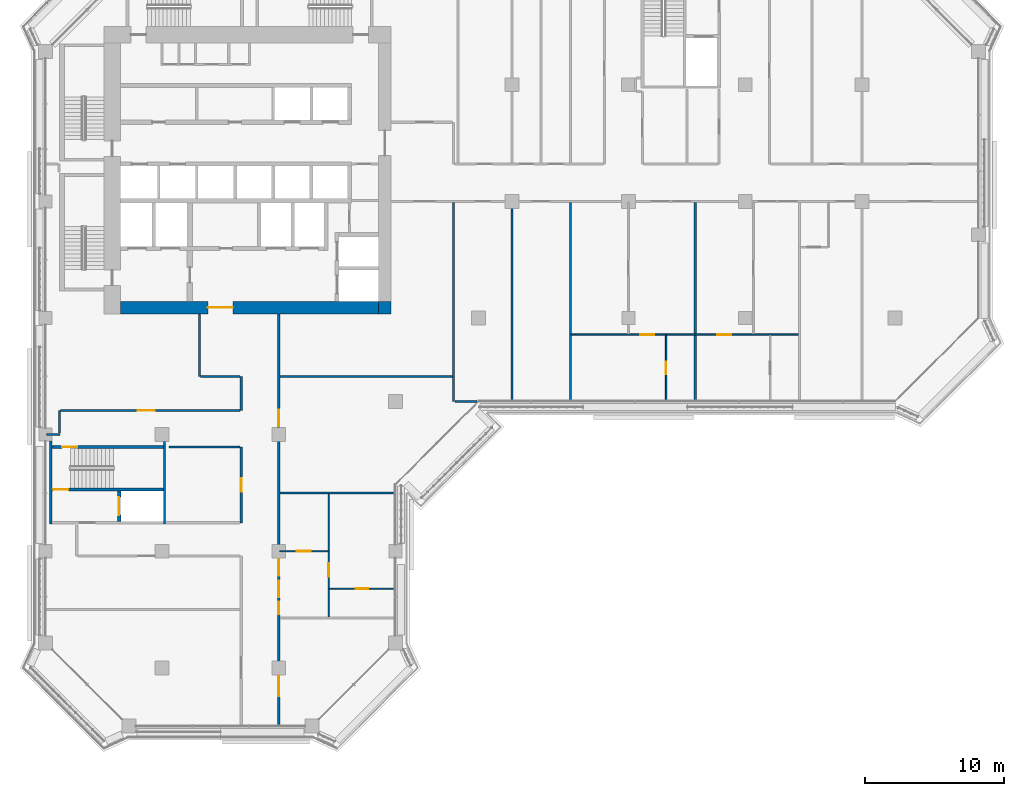
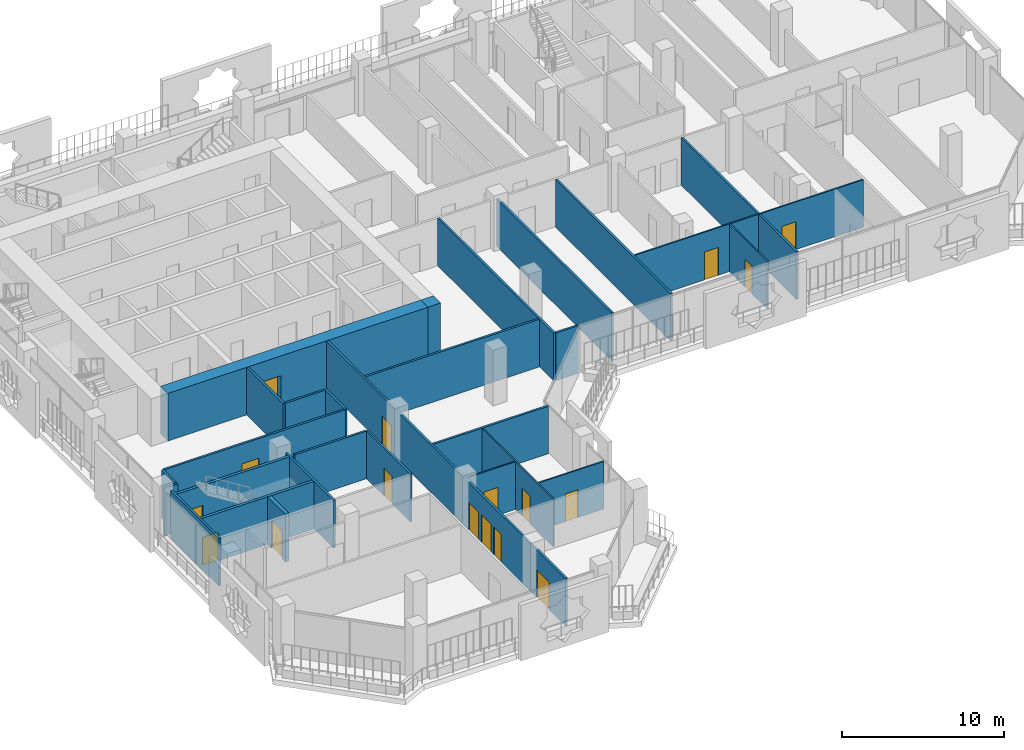
# One storey, part 10 of 22: 28 walls, 17 doors, 17 openings.
"""IFC4 building model written with IfcOpenShell, lengths in metres."""

from ifc_helpers import new_model, si_unit, direction, frame, frame_2d, origin, place, context, subcontext, project, spatial, rectangle, extrude, material, layer, layer_set, type_object, element, fill, save


model = new_model("IFC4")

# Units and contexts
model_context = context("Model", 3, precision=1e-05, world=origin(), true_north=direction((0.0, 1.0)))
body_context = subcontext(model_context, "Body", "Model", "MODEL_VIEW")
ifc_project = project(units=[si_unit("LENGTHUNIT", "METRE"), si_unit("AREAUNIT", "SQUARE_METRE"), si_unit("VOLUMEUNIT", "CUBIC_METRE"), si_unit("PLANEANGLEUNIT", "RADIAN"), si_unit("MASSUNIT", "GRAM", prefix="KILO")], contexts=[model_context])

# Site, building, storey
site_placement = place(None, origin())
site = spatial("IfcSite", under=ifc_project, at=site_placement, CompositionType="ELEMENT")
building_placement = place(site_placement, origin())
building = spatial("IfcBuilding", under=site, at=building_placement, Name="Kawkab Arch Medical Tower", CompositionType="ELEMENT")
storey_placement = place(building_placement, frame((0.0, 0.0, 183.60009765625)))
storey = spatial("IfcBuildingStorey", under=building, at=storey_placement, Name="L42", CompositionType="ELEMENT", Elevation=183.60009765625)

# Wall, opening, door
ifc_material_1 = material(Name="Concrete C55/67", Category="concrete")
ifc_layer_1 = layer(ifc_material_1, 0.89990234375)
ifc_layer_set_1 = layer_set([ifc_layer_1], Name="Concrete C55/67")
wall_type_1 = type_object("IfcWallType", Name="Core ring wall 900 C55/67", PredefinedType="SHEAR", material=ifc_layer_set_1)
wall_1_placement = place(storey_placement, frame((5.39990234375, -24.449951171875, 0.0), z_axis=(0.0, 0.0, 1.0), x_axis=(1.0, 0.0, 0.0)))
wall_1 = element("IfcWall", 1, at=wall_1_placement, inside=storey, type_object=wall_type_1, Name="L42 core wall", PredefinedType="SHEAR", context=body_context, shape_type="SweptSolid", body=[
    extrude(rectangle(XDim=18.60009765625, YDim=0.89990234375, at=frame_2d((9.300048828125, 0.0))), origin(), (0.0, 0.0, 1.0), 3.599853515625),
])
opening_1_placement = place(wall_1_placement, frame((6.300048828125, 0.0, 0.0)))
opening_1 = element("IfcOpeningElement", 2, at=opening_1_placement, cuts=wall_1, Name="Opening PD", PredefinedType="OPENING", context=body_context, shape_type="SweptSolid", body=[
    extrude(rectangle(XDim=1.800048828125, YDim=2.10009765625, at=frame_2d((0.89990234375, 1.050048828125))), frame((0.0, 0.4599609375, 0.0), z_axis=(0.0, -1.0, 0.0), x_axis=(1.0, 0.0, 0.0)), (0.0, 0.0, 1.0), 0.919921875),
])
ifc_material_2 = material(Name="Hollow metal fire door leaf")
door_type_1 = type_object("IfcDoorType", Name="Core entrance doors 1800", OperationType="DOUBLE_DOOR_SINGLE_SWING", PredefinedType="DOOR", material=ifc_material_2)
door_1_placement = place(opening_1_placement, origin())
door_1 = element("IfcDoor", 3, at=door_1_placement, inside=storey, type_object=door_type_1, Name="L42 South entrance doors", OperationType="DOUBLE_DOOR_SINGLE_SWING", OverallHeight=2.10009765625, OverallWidth=1.800048828125, PredefinedType="DOOR", context=body_context, shape_type="SweptSolid", body=[
    extrude(rectangle(XDim=1.800048828125, YDim=2.10009765625, at=frame_2d((0.89990234375, 1.050048828125))), frame((0.0, 0.02490234375, 0.0), z_axis=(0.0, -1.0, 0.0), x_axis=(1.0, 0.0, 0.0)), (0.0, 0.0, 1.0), 0.050048828125),
])
fill(opening_1, door_1)

# Wall
wall_2_placement = place(storey_placement, frame((24.449951171875, -24.89990234375, 0.0), z_axis=(0.0, 0.0, 1.0), x_axis=(0.0, 1.0, 0.0)))
element("IfcWall", 4, at=wall_2_placement, inside=storey, type_object=wall_type_1, Name="L42 core wall", PredefinedType="SHEAR", context=body_context, shape_type="SweptSolid", body=[
    extrude(rectangle(XDim=0.89990234375, YDim=0.89990234375, at=frame_2d((0.449951171875, 0.0))), origin(), (0.0, 0.0, 1.0), 3.599853515625),
])

# Wall, opening, door
ifc_material_3 = material(Name="Concrete C60/75", Category="concrete")
ifc_layer_2 = layer(ifc_material_3, 0.25)
ifc_layer_set_2 = layer_set([ifc_layer_2], Name="Concrete C60/75")
wall_type_2 = type_object("IfcWallType", Name="Core shear wall 250 C60/75", PredefinedType="SHEAR", material=ifc_layer_set_2)
wall_3_placement = place(storey_placement, frame((5.300048828125, -39.85009765625, 0.0), z_axis=(0.0, 0.0, 1.0), x_axis=(0.0, 1.0, 0.0)))
wall_3 = element("IfcWall", 5, at=wall_3_placement, inside=storey, type_object=wall_type_2, Name="L42 core shear wall", PredefinedType="SHEAR", context=body_context, shape_type="SweptSolid", body=[
    extrude(rectangle(XDim=2.2001953125, YDim=0.25, at=frame_2d((1.10009765625, 0.0))), origin(), (0.0, 0.0, 1.0), 3.599853515625),
])
opening_2_placement = place(wall_3_placement, frame((0.449951171875, 0.0, 0.0)))
opening_2 = element("IfcOpeningElement", 6, at=opening_2_placement, cuts=wall_3, Name="Opening LD2", PredefinedType="OPENING", context=body_context, shape_type="SweptSolid", body=[
    extrude(rectangle(XDim=1.300048828125, YDim=2.10009765625, at=frame_2d((0.64990234375, 1.050048828125))), frame((0.0, 0.135009765625, 0.0), z_axis=(0.0, -1.0, 0.0), x_axis=(1.0, 0.0, 0.0)), (0.0, 0.0, 1.0), 0.27001953125),
])
ifc_material_4 = material(Name="Stainless steel lift door leaf", Category="steel")
door_type_2 = type_object("IfcDoorType", Name="Lift landing door 1300", OperationType="DOUBLE_DOOR_SLIDING", PredefinedType="DOOR", material=ifc_material_4)
door_2_placement = place(opening_2_placement, origin())
door_2 = element("IfcDoor", 7, at=door_2_placement, inside=storey, type_object=door_type_2, Name="L42 Lift landing door SV2", OperationType="DOUBLE_DOOR_SLIDING", OverallHeight=2.10009765625, OverallWidth=1.300048828125, PredefinedType="DOOR", context=body_context, shape_type="SweptSolid", body=[
    extrude(rectangle(XDim=1.300048828125, YDim=2.10009765625, at=frame_2d((0.64990234375, 1.050048828125))), frame((0.0, 0.02490234375, 0.0), z_axis=(0.0, -1.0, 0.0), x_axis=(1.0, 0.0, 0.0)), (0.0, 0.0, 1.0), 0.050048828125),
])
fill(opening_2, door_2)

ifc_material_5 = material(Name="Gypsum board partition on steel studs", Category="steel")
ifc_layer_3 = layer(ifc_material_5, 0.10009765625)
ifc_layer_set_3 = layer_set([ifc_layer_3], Name="Gypsum board partition on steel studs")
wall_type_3 = type_object("IfcWallType", Name="Partition 100", PredefinedType="PARTITIONING", material=ifc_layer_set_3)
wall_4_placement = place(storey_placement, frame((20.449951171875, -44.699951171875, 0.0), z_axis=(0.0, 0.0, 1.0), x_axis=(1.0, 0.0, 0.0)))
wall_4 = element("IfcWall", 8, at=wall_4_placement, inside=storey, type_object=wall_type_3, Name="Partition 100 w001", PredefinedType="PARTITIONING", context=body_context, shape_type="SweptSolid", body=[
    extrude(rectangle(XDim=4.670166015625, YDim=0.10009765625, at=frame_2d((2.3349609375, 0.0))), origin(), (0.0, 0.0, 1.0), 3.599853515625),
])
opening_3_placement = place(wall_4_placement, frame((1.89990234375, 0.0, 0.0)))
opening_3 = element("IfcOpeningElement", 9, at=opening_3_placement, cuts=wall_4, Name="Opening W42-009", PredefinedType="OPENING", context=body_context, shape_type="SweptSolid", body=[
    extrude(rectangle(XDim=0.89990234375, YDim=2.10009765625, at=frame_2d((0.449951171875, 1.050048828125))), frame((0.0, 0.06005859375, 0.0), z_axis=(0.0, -1.0, 0.0), x_axis=(1.0, 0.0, 0.0)), (0.0, 0.0, 1.0), 0.1201171875),
])
ifc_material_6 = material(Name="Timber door leaf", Category="wood")
door_type_3 = type_object("IfcDoorType", Name="Single door 900x2100", OperationType="NOTDEFINED", PredefinedType="DOOR", material=ifc_material_6)
door_3_placement = place(opening_3_placement, origin())
door_3 = element("IfcDoor", 10, at=door_3_placement, inside=storey, type_object=door_type_3, Name="Door W42-009", OperationType="SINGLE_SWING_RIGHT", OverallHeight=2.10009765625, OverallWidth=0.89990234375, PredefinedType="DOOR", context=body_context, shape_type="SweptSolid", body=[
    extrude(rectangle(XDim=0.89990234375, YDim=2.10009765625, at=frame_2d((0.449951171875, 1.050048828125))), frame((0.0, 0.02490234375, 0.0), z_axis=(0.0, -1.0, 0.0), x_axis=(1.0, 0.0, 0.0)), (0.0, 0.0, 1.0), 0.050048828125),
])
fill(opening_3, door_3)

wall_5_placement = place(storey_placement, frame((16.875, -42.0, 0.0), z_axis=(0.0, 0.0, 1.0), x_axis=(1.0, 0.0, 0.0)))
wall_5 = element("IfcWall", 11, at=wall_5_placement, inside=storey, type_object=wall_type_3, Name="Partition 100 w002", PredefinedType="PARTITIONING", context=body_context, shape_type="SweptSolid", body=[
    extrude(rectangle(XDim=3.47509765625, YDim=0.10009765625, at=frame_2d((1.737548828125, 0.0))), origin(), (0.0, 0.0, 1.0), 3.599853515625),
])
opening_4_placement = place(wall_5_placement, frame((1.22509765625, 0.0, 0.0)))
opening_4 = element("IfcOpeningElement", 12, at=opening_4_placement, cuts=wall_5, Name="Opening W42-017", PredefinedType="OPENING", context=body_context, shape_type="SweptSolid", body=[
    extrude(rectangle(XDim=1.0, YDim=2.10009765625, at=frame_2d((0.5, 1.050048828125))), frame((0.0, 0.06005859375, 0.0), z_axis=(0.0, -1.0, 0.0), x_axis=(1.0, 0.0, 0.0)), (0.0, 0.0, 1.0), 0.1201171875),
])
ifc_material_7 = material(Name="Timber door leaf", Category="wood")
door_type_4 = type_object("IfcDoorType", Name="Single door 1000x2100", OperationType="NOTDEFINED", PredefinedType="DOOR", material=ifc_material_7)
door_4_placement = place(opening_4_placement, origin())
door_4 = element("IfcDoor", 13, at=door_4_placement, inside=storey, type_object=door_type_4, Name="Door W42-017", OperationType="SINGLE_SWING_RIGHT", OverallHeight=2.10009765625, OverallWidth=1.0, PredefinedType="DOOR", context=body_context, shape_type="SweptSolid", body=[
    extrude(rectangle(XDim=1.0, YDim=2.10009765625, at=frame_2d((0.5, 1.050048828125))), frame((0.0, 0.02490234375, 0.0), z_axis=(0.0, -1.0, 0.0), x_axis=(1.0, 0.0, 0.0)), (0.0, 0.0, 1.0), 0.050048828125),
])
fill(opening_4, door_4)

# Wall, openings, doors
wall_6_placement = place(storey_placement, frame((37.875, -26.39990234375, 0.0), z_axis=(0.0, 0.0, 1.0), x_axis=(1.0, 0.0, 0.0)))
wall_6 = element("IfcWall", 14, at=wall_6_placement, inside=storey, type_object=wall_type_3, Name="Partition 100 w003", PredefinedType="PARTITIONING", context=body_context, shape_type="SweptSolid", body=[
    extrude(rectangle(XDim=16.35009765625, YDim=0.10009765625, at=frame_2d((8.175048828125, 0.0))), origin(), (0.0, 0.0, 1.0), 3.599853515625),
])
opening_5_placement = place(wall_6_placement, frame((4.97509765625, 0.0, 0.0)))
opening_5 = element("IfcOpeningElement", 15, at=opening_5_placement, cuts=wall_6, Name="Opening W42-012", PredefinedType="OPENING", context=body_context, shape_type="SweptSolid", body=[
    extrude(rectangle(XDim=1.0, YDim=2.10009765625, at=frame_2d((0.5, 1.050048828125))), frame((0.0, 0.06005859375, 0.0), z_axis=(0.0, -1.0, 0.0), x_axis=(1.0, 0.0, 0.0)), (0.0, 0.0, 1.0), 0.1201171875),
])
opening_6_placement = place(wall_6_placement, frame((10.52490234375, 0.0, 0.0)))
opening_6 = element("IfcOpeningElement", 16, at=opening_6_placement, cuts=wall_6, Name="Opening W42-014", PredefinedType="OPENING", context=body_context, shape_type="SweptSolid", body=[
    extrude(rectangle(XDim=1.0, YDim=2.10009765625, at=frame_2d((0.5, 1.050048828125))), frame((0.0, 0.06005859375, 0.0), z_axis=(0.0, -1.0, 0.0), x_axis=(1.0, 0.0, 0.0)), (0.0, 0.0, 1.0), 0.1201171875),
])
door_5_placement = place(opening_5_placement, origin())
door_5 = element("IfcDoor", 17, at=door_5_placement, inside=storey, type_object=door_type_4, Name="Door W42-012", OperationType="SINGLE_SWING_RIGHT", OverallHeight=2.10009765625, OverallWidth=1.0, PredefinedType="DOOR", context=body_context, shape_type="SweptSolid", body=[
    extrude(rectangle(XDim=1.0, YDim=2.10009765625, at=frame_2d((0.5, 1.050048828125))), frame((0.0, 0.02490234375, 0.0), z_axis=(0.0, -1.0, 0.0), x_axis=(1.0, 0.0, 0.0)), (0.0, 0.0, 1.0), 0.050048828125),
])
fill(opening_5, door_5)
door_6_placement = place(opening_6_placement, origin())
door_6 = element("IfcDoor", 18, at=door_6_placement, inside=storey, type_object=door_type_4, Name="Door W42-014", OperationType="SINGLE_SWING_LEFT", OverallHeight=2.10009765625, OverallWidth=1.0, PredefinedType="DOOR", context=body_context, shape_type="SweptSolid", body=[
    extrude(rectangle(XDim=1.0, YDim=2.10009765625, at=frame_2d((0.5, 1.050048828125))), frame((0.0, 0.02490234375, 0.0), z_axis=(0.0, -1.0, 0.0), x_axis=(1.0, 0.0, 0.0)), (0.0, 0.0, 1.0), 0.050048828125),
])
fill(opening_6, door_6)

# Wall, opening, door
wall_7_placement = place(storey_placement, frame((20.39990234375, -46.72509765625, 0.0), z_axis=(0.0, 0.0, 1.0), x_axis=(0.0, 1.0, 0.0)))
wall_7 = element("IfcWall", 19, at=wall_7_placement, inside=storey, type_object=wall_type_3, Name="Partition 100 w005", PredefinedType="PARTITIONING", context=body_context, shape_type="SweptSolid", body=[
    extrude(rectangle(XDim=8.85009765625, YDim=0.10009765625, at=frame_2d((4.425048828125, 0.0))), origin(), (0.0, 0.0, 1.0), 3.599853515625),
])
opening_7_placement = place(wall_7_placement, frame((2.875, 0.0, 0.0)))
opening_7 = element("IfcOpeningElement", 20, at=opening_7_placement, cuts=wall_7, Name="Opening W42-016", PredefinedType="OPENING", context=body_context, shape_type="SweptSolid", body=[
    extrude(rectangle(XDim=1.0, YDim=2.10009765625, at=frame_2d((0.5, 1.050048828125))), frame((0.0, 0.06005859375, 0.0), z_axis=(0.0, -1.0, 0.0), x_axis=(1.0, 0.0, 0.0)), (0.0, 0.0, 1.0), 0.1201171875),
])
door_7_placement = place(opening_7_placement, origin())
door_7 = element("IfcDoor", 21, at=door_7_placement, inside=storey, type_object=door_type_4, Name="Door W42-016", OperationType="SINGLE_SWING_RIGHT", OverallHeight=2.10009765625, OverallWidth=1.0, PredefinedType="DOOR", context=body_context, shape_type="SweptSolid", body=[
    extrude(rectangle(XDim=1.0, YDim=2.10009765625, at=frame_2d((0.5, 1.050048828125))), frame((0.0, 0.02490234375, 0.0), z_axis=(0.0, -1.0, 0.0), x_axis=(1.0, 0.0, 0.0)), (0.0, 0.0, 1.0), 0.050048828125),
])
fill(opening_7, door_7)

wall_8_placement = place(storey_placement, frame((44.699951171875, -31.1201171875, 0.0), z_axis=(0.0, 0.0, 1.0), x_axis=(0.0, 1.0, 0.0)))
wall_8 = element("IfcWall", 22, at=wall_8_placement, inside=storey, type_object=wall_type_3, Name="Partition 100 w007", PredefinedType="PARTITIONING", context=body_context, shape_type="SweptSolid", body=[
    extrude(rectangle(XDim=4.670166015625, YDim=0.10009765625, at=frame_2d((2.3349609375, 0.0))), origin(), (0.0, 0.0, 1.0), 3.599853515625),
])
opening_8_placement = place(wall_8_placement, frame((1.8701171875, 0.0, 0.0)))
opening_8 = element("IfcOpeningElement", 23, at=opening_8_placement, cuts=wall_8, Name="Opening W42-006", PredefinedType="OPENING", context=body_context, shape_type="SweptSolid", body=[
    extrude(rectangle(XDim=0.89990234375, YDim=2.10009765625, at=frame_2d((0.449951171875, 1.050048828125))), frame((0.0, 0.06005859375, 0.0), z_axis=(0.0, -1.0, 0.0), x_axis=(1.0, 0.0, 0.0)), (0.0, 0.0, 1.0), 0.1201171875),
])
door_8_placement = place(opening_8_placement, origin())
door_8 = element("IfcDoor", 24, at=door_8_placement, inside=storey, type_object=door_type_3, Name="Door W42-006", OperationType="SINGLE_SWING_LEFT", OverallHeight=2.10009765625, OverallWidth=0.89990234375, PredefinedType="DOOR", context=body_context, shape_type="SweptSolid", body=[
    extrude(rectangle(XDim=0.89990234375, YDim=2.10009765625, at=frame_2d((0.449951171875, 1.050048828125))), frame((0.0, 0.02490234375, 0.0), z_axis=(0.0, -1.0, 0.0), x_axis=(1.0, 0.0, 0.0)), (0.0, 0.0, 1.0), 0.050048828125),
])
fill(opening_8, door_8)

# Walls
ifc_material_8 = material(Name="Gypsum board partition on steel studs, mineral wool", Category="steel")
ifc_layer_4 = layer(ifc_material_8, 0.14990234375)
ifc_layer_set_4 = layer_set([ifc_layer_4], Name="Gypsum board partition on steel studs, mineral wool")
wall_type_4 = type_object("IfcWallType", Name="Partition 150", PredefinedType="PARTITIONING", material=ifc_layer_set_4)
wall_9_placement = place(storey_placement, frame((16.875, -37.800048828125, 0.0), z_axis=(0.0, 0.0, 1.0), x_axis=(1.0, 0.0, 0.0)))
element("IfcWall", 25, at=wall_9_placement, inside=storey, type_object=wall_type_4, Name="Partition 150 w015", PredefinedType="PARTITIONING", context=body_context, shape_type="SweptSolid", body=[
    extrude(rectangle(XDim=8.2451171875, YDim=0.14990234375, at=frame_2d((4.12255859375, 0.0))), origin(), (0.0, 0.0, 1.0), 3.599853515625),
])
wall_10_placement = place(storey_placement, frame((8.89990234375, -34.5, 0.0), z_axis=(0.0, 0.0, 1.0), x_axis=(1.0, 0.0, 0.0)))
element("IfcWall", 26, at=wall_10_placement, inside=storey, type_object=wall_type_4, Name="Partition 150 w016", PredefinedType="PARTITIONING", context=body_context, shape_type="SweptSolid", body=[
    extrude(rectangle(XDim=5.125, YDim=0.14990234375, at=frame_2d((2.5625, 0.0))), origin(), (0.0, 0.0, 1.0), 3.599853515625),
])
wall_11_placement = place(storey_placement, frame((0.080078125, -33.60009765625, 0.0), z_axis=(0.0, 0.0, 1.0), x_axis=(1.0, 0.0, 0.0)))
element("IfcWall", 27, at=wall_11_placement, inside=storey, type_object=wall_type_4, Name="Partition 150 w017", PredefinedType="PARTITIONING", context=body_context, shape_type="SweptSolid", body=[
    extrude(rectangle(XDim=0.969970703125, YDim=0.14990234375, at=frame_2d((0.48486328125, 0.0))), origin(), (0.0, 0.0, 1.0), 3.599853515625),
])

# Wall, opening, door
wall_12_placement = place(storey_placement, frame((1.076904296875, -31.85693359375, 0.0), z_axis=(0.0, 0.0, 1.0), x_axis=(1.0, 0.0, 0.0)))
wall_12 = element("IfcWall", 28, at=wall_12_placement, inside=storey, type_object=wall_type_4, Name="Partition 150 w018", PredefinedType="PARTITIONING", context=body_context, shape_type="SweptSolid", body=[
    extrude(rectangle(XDim=12.947998046875, YDim=0.14990234375, at=frame_2d((6.47412109375, 0.0))), origin(), (0.0, 0.0, 1.0), 3.599853515625),
])
opening_9_placement = place(wall_12_placement, frame((5.573974609375, 0.0, 0.0)))
opening_9 = element("IfcOpeningElement", 29, at=opening_9_placement, cuts=wall_12, Name="Opening W42-034", PredefinedType="OPENING", context=body_context, shape_type="SweptSolid", body=[
    extrude(rectangle(XDim=1.199951171875, YDim=2.10009765625, at=frame_2d((0.60009765625, 1.050048828125))), frame((0.0, 0.0849609375, 0.0), z_axis=(0.0, -1.0, 0.0), x_axis=(1.0, 0.0, 0.0)), (0.0, 0.0, 1.0), 0.169921875),
])
ifc_material_9 = material(Name="Hollow metal door leaf")
door_type_5 = type_object("IfcDoorType", Name="Single door 1200x2100 FD30S", OperationType="NOTDEFINED", PredefinedType="DOOR", material=ifc_material_9)
door_9_placement = place(opening_9_placement, origin())
door_9 = element("IfcDoor", 30, at=door_9_placement, inside=storey, type_object=door_type_5, Name="Door W42-034", OperationType="SINGLE_SWING_RIGHT", OverallHeight=2.10009765625, OverallWidth=1.199951171875, PredefinedType="DOOR", context=body_context, shape_type="SweptSolid", body=[
    extrude(rectangle(XDim=1.199951171875, YDim=2.10009765625, at=frame_2d((0.60009765625, 1.050048828125))), frame((0.0, 0.02490234375, 0.0), z_axis=(0.0, -1.0, 0.0), x_axis=(1.0, 0.0, 0.0)), (0.0, 0.0, 1.0), 0.050048828125),
])
fill(opening_9, door_9)

# Walls
wall_13_placement = place(storey_placement, frame((29.47705078125, -31.199951171875, 0.0), z_axis=(0.0, 0.0, 1.0), x_axis=(1.0, 0.0, 0.0)))
element("IfcWall", 31, at=wall_13_placement, inside=storey, type_object=wall_type_4, Name="Partition 150 w019", PredefinedType="PARTITIONING", context=body_context, shape_type="SweptSolid", body=[
    extrude(rectangle(XDim=1.60986328125, YDim=0.14990234375, at=frame_2d((0.804931640625, 0.0))), origin(), (0.0, 0.0, 1.0), 3.599853515625),
])
wall_14_placement = place(storey_placement, frame((11.177001953125, -29.39990234375, 0.0), z_axis=(0.0, 0.0, 1.0), x_axis=(1.0, 0.0, 0.0)))
element("IfcWall", 32, at=wall_14_placement, inside=storey, type_object=wall_type_4, Name="Partition 150 w020", PredefinedType="PARTITIONING", context=body_context, shape_type="SweptSolid", body=[
    extrude(rectangle(XDim=2.847900390625, YDim=0.14990234375, at=frame_2d((1.423828125, 0.0))), origin(), (0.0, 0.0, 1.0), 3.599853515625),
])
wall_15_placement = place(storey_placement, frame((16.875, -29.39990234375, 0.0), z_axis=(0.0, 0.0, 1.0), x_axis=(1.0, 0.0, 0.0)))
element("IfcWall", 33, at=wall_15_placement, inside=storey, type_object=wall_type_4, Name="Partition 150 w021", PredefinedType="PARTITIONING", context=body_context, shape_type="SweptSolid", body=[
    extrude(rectangle(XDim=12.449951171875, YDim=0.14990234375, at=frame_2d((6.22509765625, 0.0))), origin(), (0.0, 0.0, 1.0), 3.599853515625),
])
wall_16_placement = place(storey_placement, frame((1.0, -33.465087890625, 0.0), z_axis=(0.0, 0.0, 1.0), x_axis=(0.0, 1.0, 0.0)))
element("IfcWall", 34, at=wall_16_placement, inside=storey, type_object=wall_type_4, Name="Partition 150 w033", PredefinedType="PARTITIONING", context=body_context, shape_type="SweptSolid", body=[
    extrude(rectangle(XDim=1.606201171875, YDim=0.14990234375, at=frame_2d((0.80322265625, 0.0))), origin(), (0.0, 0.0, 1.0), 3.599853515625),
])
wall_17_placement = place(storey_placement, frame((11.10009765625, -29.39892578125, 0.0), z_axis=(0.0, 0.0, 1.0), x_axis=(0.0, 1.0, 0.0)))
element("IfcWall", 35, at=wall_17_placement, inside=storey, type_object=wall_type_4, Name="Partition 150 w035", PredefinedType="PARTITIONING", context=body_context, shape_type="SweptSolid", body=[
    extrude(rectangle(XDim=4.4990234375, YDim=0.14990234375, at=frame_2d((2.24951171875, 0.0))), origin(), (0.0, 0.0, 1.0), 3.599853515625),
])

# Wall, opening, door
wall_18_placement = place(storey_placement, frame((14.10009765625, -39.949951171875, 0.0), z_axis=(0.0, 0.0, 1.0), x_axis=(0.0, 1.0, 0.0)))
wall_18 = element("IfcWall", 36, at=wall_18_placement, inside=storey, type_object=wall_type_4, Name="Partition 150 w037", PredefinedType="PARTITIONING", context=body_context, shape_type="SweptSolid", body=[
    extrude(rectangle(XDim=5.449951171875, YDim=0.14990234375, at=frame_2d((2.72509765625, 0.0))), origin(), (0.0, 0.0, 1.0), 3.599853515625),
])
opening_10_placement = place(wall_18_placement, frame((2.22509765625, 0.0, 0.0)))
opening_10 = element("IfcOpeningElement", 37, at=opening_10_placement, cuts=wall_18, Name="Opening W42-023", PredefinedType="OPENING", context=body_context, shape_type="SweptSolid", body=[
    extrude(rectangle(XDim=1.0, YDim=2.10009765625, at=frame_2d((0.5, 1.050048828125))), frame((0.0, 0.0849609375, 0.0), z_axis=(0.0, -1.0, 0.0), x_axis=(1.0, 0.0, 0.0)), (0.0, 0.0, 1.0), 0.169921875),
])
ifc_material_10 = material(Name="Hollow metal door leaf")
door_type_6 = type_object("IfcDoorType", Name="Single door 1000x2100 FD30S", OperationType="NOTDEFINED", PredefinedType="DOOR", material=ifc_material_10)
door_10_placement = place(opening_10_placement, origin())
door_10 = element("IfcDoor", 38, at=door_10_placement, inside=storey, type_object=door_type_6, Name="Door W42-023", OperationType="SINGLE_SWING_LEFT", OverallHeight=2.10009765625, OverallWidth=1.0, PredefinedType="DOOR", context=body_context, shape_type="SweptSolid", body=[
    extrude(rectangle(XDim=1.0, YDim=2.10009765625, at=frame_2d((0.5, 1.050048828125))), frame((0.0, 0.02490234375, 0.0), z_axis=(0.0, -1.0, 0.0), x_axis=(1.0, 0.0, 0.0)), (0.0, 0.0, 1.0), 0.050048828125),
])
fill(opening_10, door_10)

# Wall
wall_19_placement = place(storey_placement, frame((14.10009765625, -31.85693359375, 0.0), z_axis=(0.0, 0.0, 1.0), x_axis=(0.0, 1.0, 0.0)))
element("IfcWall", 39, at=wall_19_placement, inside=storey, type_object=wall_type_4, Name="Partition 150 w038", PredefinedType="PARTITIONING", context=body_context, shape_type="SweptSolid", body=[
    extrude(rectangle(XDim=2.45703125, YDim=0.14990234375, at=frame_2d((1.228515625, 0.0))), origin(), (0.0, 0.0, 1.0), 3.599853515625),
])

# Wall, openings, doors
wall_20_placement = place(storey_placement, frame((16.800048828125, -54.52001953125, 0.0), z_axis=(0.0, 0.0, 1.0), x_axis=(0.0, 1.0, 0.0)))
wall_20 = element("IfcWall", 40, at=wall_20_placement, inside=storey, type_object=wall_type_4, Name="Partition 150 w039", PredefinedType="PARTITIONING", context=body_context, shape_type="SweptSolid", body=[
    extrude(rectangle(XDim=29.6201171875, YDim=0.14990234375, at=frame_2d((14.81005859375, 0.0))), origin(), (0.0, 0.0, 1.0), 3.599853515625),
])
opening_11_placement = place(wall_20_placement, frame((21.52001953125, 0.0, 0.0)))
opening_11 = element("IfcOpeningElement", 41, at=opening_11_placement, cuts=wall_20, Name="Opening W42-036", PredefinedType="OPENING", context=body_context, shape_type="SweptSolid", body=[
    extrude(rectangle(XDim=1.199951171875, YDim=2.10009765625, at=frame_2d((0.60009765625, 1.050048828125))), frame((0.0, 0.0849609375, 0.0), z_axis=(0.0, -1.0, 0.0), x_axis=(1.0, 0.0, 0.0)), (0.0, 0.0, 1.0), 0.169921875),
])
opening_12_placement = place(wall_20_placement, frame((10.760009765625, 0.0, 0.0)))
opening_12 = element("IfcOpeningElement", 42, at=opening_12_placement, cuts=wall_20, Name="Opening W42-037", PredefinedType="OPENING", context=body_context, shape_type="SweptSolid", body=[
    extrude(rectangle(XDim=1.199951171875, YDim=2.10009765625, at=frame_2d((0.60009765625, 1.050048828125))), frame((0.0, 0.0849609375, 0.0), z_axis=(0.0, -1.0, 0.0), x_axis=(1.0, 0.0, 0.0)), (0.0, 0.0, 1.0), 0.169921875),
])
opening_13_placement = place(wall_20_placement, frame((9.199951171875, 0.0, 0.0)))
opening_13 = element("IfcOpeningElement", 43, at=opening_13_placement, cuts=wall_20, Name="Opening W42-038", PredefinedType="OPENING", context=body_context, shape_type="SweptSolid", body=[
    extrude(rectangle(XDim=1.199951171875, YDim=2.10009765625, at=frame_2d((0.60009765625, 1.050048828125))), frame((0.0, 0.0849609375, 0.0), z_axis=(0.0, -1.0, 0.0), x_axis=(1.0, 0.0, 0.0)), (0.0, 0.0, 1.0), 0.169921875),
])
opening_14_placement = place(wall_20_placement, frame((7.989990234375, 0.0, 0.0)))
opening_14 = element("IfcOpeningElement", 44, at=opening_14_placement, cuts=wall_20, Name="Opening W42-011", PredefinedType="OPENING", context=body_context, shape_type="SweptSolid", body=[
    extrude(rectangle(XDim=0.89990234375, YDim=2.10009765625, at=frame_2d((0.449951171875, 1.050048828125))), frame((0.0, 0.0849609375, 0.0), z_axis=(0.0, -1.0, 0.0), x_axis=(1.0, 0.0, 0.0)), (0.0, 0.0, 1.0), 0.169921875),
])
opening_15_placement = place(wall_20_placement, frame((2.070068359375, 0.0, 0.0)))
opening_15 = element("IfcOpeningElement", 45, at=opening_15_placement, cuts=wall_20, Name="Opening W42-005", PredefinedType="OPENING", context=body_context, shape_type="SweptSolid", body=[
    extrude(rectangle(XDim=1.5, YDim=2.10009765625, at=frame_2d((0.75, 1.050048828125))), frame((0.0, 0.0849609375, 0.0), z_axis=(0.0, -1.0, 0.0), x_axis=(1.0, 0.0, 0.0)), (0.0, 0.0, 1.0), 0.169921875),
])
ifc_material_11 = material(Name="Hollow metal door leaf")
door_type_7 = type_object("IfcDoorType", Name="Double door 1500x2100 FD30S", OperationType="NOTDEFINED", PredefinedType="DOOR", material=ifc_material_11)
door_11_placement = place(opening_15_placement, origin())
door_11 = element("IfcDoor", 46, at=door_11_placement, inside=storey, type_object=door_type_7, Name="Door W42-005", OperationType="DOUBLE_DOOR_SINGLE_SWING", OverallHeight=2.10009765625, OverallWidth=1.5, PredefinedType="DOOR", context=body_context, shape_type="SweptSolid", body=[
    extrude(rectangle(XDim=1.5, YDim=2.10009765625, at=frame_2d((0.75, 1.050048828125))), frame((0.0, 0.02490234375, 0.0), z_axis=(0.0, -1.0, 0.0), x_axis=(1.0, 0.0, 0.0)), (0.0, 0.0, 1.0), 0.050048828125),
])
fill(opening_15, door_11)
door_12_placement = place(opening_11_placement, origin())
door_12 = element("IfcDoor", 47, at=door_12_placement, inside=storey, type_object=door_type_5, Name="Door W42-036", OperationType="SINGLE_SWING_LEFT", OverallHeight=2.10009765625, OverallWidth=1.199951171875, PredefinedType="DOOR", context=body_context, shape_type="SweptSolid", body=[
    extrude(rectangle(XDim=1.199951171875, YDim=2.10009765625, at=frame_2d((0.60009765625, 1.050048828125))), frame((0.0, 0.02490234375, 0.0), z_axis=(0.0, -1.0, 0.0), x_axis=(1.0, 0.0, 0.0)), (0.0, 0.0, 1.0), 0.050048828125),
])
fill(opening_11, door_12)
door_13_placement = place(opening_12_placement, origin())
door_13 = element("IfcDoor", 48, at=door_13_placement, inside=storey, type_object=door_type_5, Name="Door W42-037", OperationType="SINGLE_SWING_RIGHT", OverallHeight=2.10009765625, OverallWidth=1.199951171875, PredefinedType="DOOR", context=body_context, shape_type="SweptSolid", body=[
    extrude(rectangle(XDim=1.199951171875, YDim=2.10009765625, at=frame_2d((0.60009765625, 1.050048828125))), frame((0.0, 0.02490234375, 0.0), z_axis=(0.0, -1.0, 0.0), x_axis=(1.0, 0.0, 0.0)), (0.0, 0.0, 1.0), 0.050048828125),
])
fill(opening_12, door_13)
door_14_placement = place(opening_13_placement, origin())
door_14 = element("IfcDoor", 49, at=door_14_placement, inside=storey, type_object=door_type_5, Name="Door W42-038", OperationType="SINGLE_SWING_RIGHT", OverallHeight=2.10009765625, OverallWidth=1.199951171875, PredefinedType="DOOR", context=body_context, shape_type="SweptSolid", body=[
    extrude(rectangle(XDim=1.199951171875, YDim=2.10009765625, at=frame_2d((0.60009765625, 1.050048828125))), frame((0.0, 0.02490234375, 0.0), z_axis=(0.0, -1.0, 0.0), x_axis=(1.0, 0.0, 0.0)), (0.0, 0.0, 1.0), 0.050048828125),
])
fill(opening_13, door_14)
ifc_material_12 = material(Name="Hollow metal door leaf")
door_type_8 = type_object("IfcDoorType", Name="Single door 900x2100 FD30S", OperationType="NOTDEFINED", PredefinedType="DOOR", material=ifc_material_12)
door_15_placement = place(opening_14_placement, origin())
door_15 = element("IfcDoor", 50, at=door_15_placement, inside=storey, type_object=door_type_8, Name="Door W42-011", OperationType="SINGLE_SWING_RIGHT", OverallHeight=2.10009765625, OverallWidth=0.89990234375, PredefinedType="DOOR", context=body_context, shape_type="SweptSolid", body=[
    extrude(rectangle(XDim=0.89990234375, YDim=2.10009765625, at=frame_2d((0.449951171875, 1.050048828125))), frame((0.0, 0.02490234375, 0.0), z_axis=(0.0, -1.0, 0.0), x_axis=(1.0, 0.0, 0.0)), (0.0, 0.0, 1.0), 0.050048828125),
])
fill(opening_14, door_15)

# Walls
wall_21_placement = place(storey_placement, frame((29.39990234375, -31.197998046875, 0.0), z_axis=(0.0, 0.0, 1.0), x_axis=(0.0, 1.0, 0.0)))
element("IfcWall", 51, at=wall_21_placement, inside=storey, type_object=wall_type_4, Name="Partition 150 w040", PredefinedType="PARTITIONING", context=body_context, shape_type="SweptSolid", body=[
    extrude(rectangle(XDim=14.322998046875, YDim=0.14990234375, at=frame_2d((7.16162109375, 0.0))), origin(), (0.0, 0.0, 1.0), 3.599853515625),
])
for number, where, z_axis, x_axis, name in (
    (52, (33.60009765625, -31.1201171875, 0.0), (0.0, 0.0, 1.0), (0.0, 1.0, 0.0), "Partition 150 w043"),
    (53, (37.800048828125, -31.1201171875, 0.0), (0.0, 0.0, 1.0), (0.0, 1.0, 0.0), "Partition 150 w048"),
    (54, (46.800048828125, -31.1201171875, 0.0), (0.0, 0.0, 1.0), (0.0, 1.0, 0.0), "Partition 150 w055"),
):
    element("IfcWall", number, at=place(storey_placement, frame(where, z_axis=z_axis, x_axis=x_axis)), inside=storey, type_object=wall_type_4, Name=name, PredefinedType="PARTITIONING", context=body_context, shape_type="SweptSolid", body=[
        extrude(rectangle(XDim=14.2451171875, YDim=0.14990234375, at=frame_2d((7.12255859375, 0.0))), origin(), (0.0, 0.0, 1.0), 3.599853515625),
    ])
ifc_material_13 = material(Name="Concrete C50/60", Category="concrete")
ifc_layer_5 = layer(ifc_material_13, 0.14990234375)
ifc_layer_set_5 = layer_set([ifc_layer_5], Name="Concrete C50/60")
wall_type_5 = type_object("IfcWallType", Name="Stair enclosure wall 150 C50/60", PredefinedType="SHEAR", material=ifc_layer_set_5)
wall_22_placement = place(storey_placement, frame((0.375, -40.050048828125, 0.0), z_axis=(0.0, 0.0, 1.0), x_axis=(0.0, 1.0, 0.0)))
element("IfcWall", 55, at=wall_22_placement, inside=storey, type_object=wall_type_5, Name="L42 stair enclosure wall", PredefinedType="SHEAR", context=body_context, shape_type="SweptSolid", body=[
    extrude(rectangle(XDim=5.97509765625, YDim=0.14990234375, at=frame_2d((2.987548828125, 0.0))), origin(), (0.0, 0.0, 1.0), 3.599853515625),
])
wall_23_placement = place(storey_placement, frame((8.574951171875, -40.050048828125, 0.0), z_axis=(0.0, 0.0, 1.0), x_axis=(0.0, 1.0, 0.0)))
element("IfcWall", 56, at=wall_23_placement, inside=storey, type_object=wall_type_5, Name="L42 stair enclosure wall", PredefinedType="SHEAR", context=body_context, shape_type="SweptSolid", body=[
    extrude(rectangle(XDim=5.949951171875, YDim=0.14990234375, at=frame_2d((2.97509765625, 0.0))), origin(), (0.0, 0.0, 1.0), 3.599853515625),
])

# Wall, opening, door
ifc_material_14 = material(Name="Concrete C50/60", Category="concrete")
ifc_layer_6 = layer(ifc_material_14, 0.199951171875)
ifc_layer_set_6 = layer_set([ifc_layer_6], Name="Concrete C50/60")
wall_type_6 = type_object("IfcWallType", Name="Stair enclosure wall 200 C50/60", PredefinedType="SHEAR", material=ifc_layer_set_6)
wall_24_placement = place(storey_placement, frame((0.449951171875, -34.5, 0.0), z_axis=(0.0, 0.0, 1.0), x_axis=(1.0, 0.0, 0.0)))
wall_24 = element("IfcWall", 57, at=wall_24_placement, inside=storey, type_object=wall_type_6, Name="L42 stair enclosure wall", PredefinedType="SHEAR", context=body_context, shape_type="SweptSolid", body=[
    extrude(rectangle(XDim=8.050048828125, YDim=0.199951171875, at=frame_2d((4.02490234375, 0.0))), origin(), (0.0, 0.0, 1.0), 3.599853515625),
])
opening_16_placement = place(wall_24_placement, frame((0.75, 0.0, 0.0)))
opening_16 = element("IfcOpeningElement", 58, at=opening_16_placement, cuts=wall_24, Name="Opening SD", PredefinedType="OPENING", context=body_context, shape_type="SweptSolid", body=[
    extrude(rectangle(XDim=1.10009765625, YDim=2.10009765625, at=frame_2d((0.550048828125, 1.050048828125))), frame((0.0, 0.10986328125, 0.0), z_axis=(0.0, -1.0, 0.0), x_axis=(1.0, 0.0, 0.0)), (0.0, 0.0, 1.0), 0.219970703125),
])
ifc_material_15 = material(Name="Hollow metal fire door leaf")
door_type_9 = type_object("IfcDoorType", Name="Exit stair door 1100", OperationType="SINGLE_SWING_LEFT", PredefinedType="DOOR", material=ifc_material_15)
door_16_placement = place(opening_16_placement, origin())
door_16 = element("IfcDoor", 59, at=door_16_placement, inside=storey, type_object=door_type_9, Name="L42 Exit stair ST6 door", OperationType="SINGLE_SWING_LEFT", OverallHeight=2.10009765625, OverallWidth=1.10009765625, PredefinedType="DOOR", context=body_context, shape_type="SweptSolid", body=[
    extrude(rectangle(XDim=1.10009765625, YDim=2.10009765625, at=frame_2d((0.550048828125, 1.050048828125))), frame((0.0, 0.02490234375, 0.0), z_axis=(0.0, -1.0, 0.0), x_axis=(1.0, 0.0, 0.0)), (0.0, 0.0, 1.0), 0.050048828125),
])
fill(opening_16, door_16)

wall_25_placement = place(storey_placement, frame((0.449951171875, -37.550048828125, 0.0), z_axis=(0.0, 0.0, 1.0), x_axis=(1.0, 0.0, 0.0)))
wall_25 = element("IfcWall", 60, at=wall_25_placement, inside=storey, type_object=wall_type_6, Name="L42 stair enclosure wall", PredefinedType="SHEAR", context=body_context, shape_type="SweptSolid", body=[
    extrude(rectangle(XDim=8.050048828125, YDim=0.199951171875, at=frame_2d((4.02490234375, 0.0))), origin(), (0.0, 0.0, 1.0), 3.599853515625),
])
opening_17_placement = place(wall_25_placement, frame((0.10009765625, 0.0, 0.0)))
opening_17 = element("IfcOpeningElement", 61, at=opening_17_placement, cuts=wall_25, Name="Opening SD", PredefinedType="OPENING", context=body_context, shape_type="SweptSolid", body=[
    extrude(rectangle(XDim=1.10009765625, YDim=2.10009765625, at=frame_2d((0.550048828125, 1.050048828125))), frame((0.0, 0.10986328125, 0.0), z_axis=(0.0, -1.0, 0.0), x_axis=(1.0, 0.0, 0.0)), (0.0, 0.0, 1.0), 0.219970703125),
])
door_17_placement = place(opening_17_placement, frame((1.10009765625, 0.0, 0.0), z_axis=(0.0, 0.0, 1.0), x_axis=(-1.0, 0.0, 0.0)))
door_17 = element("IfcDoor", 62, at=door_17_placement, inside=storey, type_object=door_type_9, Name="L42 Exit stair ST6 lobby door", OperationType="SINGLE_SWING_LEFT", OverallHeight=2.10009765625, OverallWidth=1.10009765625, PredefinedType="DOOR", context=body_context, shape_type="SweptSolid", body=[
    extrude(rectangle(XDim=1.10009765625, YDim=2.10009765625, at=frame_2d((0.550048828125, 1.050048828125))), frame((0.0, 0.02490234375, 0.0), z_axis=(0.0, -1.0, 0.0), x_axis=(1.0, 0.0, 0.0)), (0.0, 0.0, 1.0), 0.050048828125),
])
fill(opening_17, door_17)

save(model, "model.ifc")
